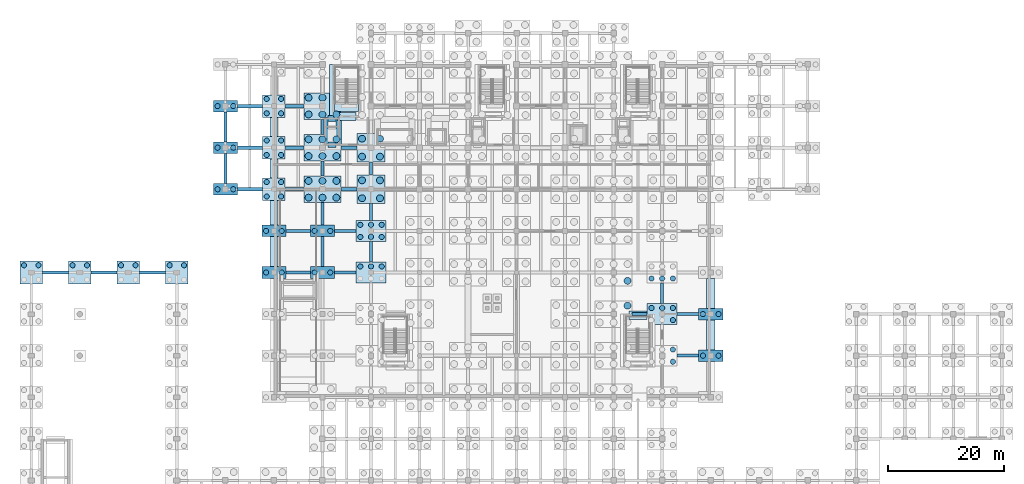
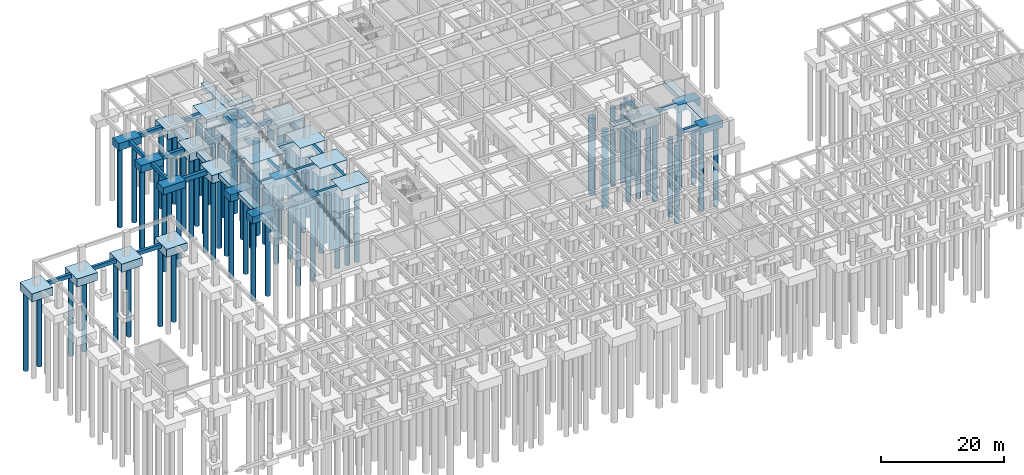
# One storey, part 6 of 26: 83 piles, 66 footings.
"""IFC4 building model written with IfcOpenShell, lengths in metres."""

from ifc_helpers import new_model, si_unit, direction, frame, origin, origin_2d, place, context, subcontext, project, spatial, rectangle, circle, extrude, material, material_profile, profile_set, type_object, element, save


model = new_model("IFC4")

# Units and contexts
model_context = context("Model", 3, precision=1e-05, world=origin(), true_north=direction((0.0, 1.0)))
body_context = subcontext(model_context, "Body", "Model", "MODEL_VIEW")
ifc_project = project(units=[si_unit("LENGTHUNIT", "METRE"), si_unit("AREAUNIT", "SQUARE_METRE"), si_unit("VOLUMEUNIT", "CUBIC_METRE"), si_unit("PLANEANGLEUNIT", "RADIAN"), si_unit("MASSUNIT", "GRAM", prefix="KILO")], contexts=[model_context])

# Site, building, storey
site_placement = place(None, origin())
site = spatial("IfcSite", under=ifc_project, at=site_placement, CompositionType="ELEMENT")
building_placement = place(site_placement, origin())
building = spatial("IfcBuilding", under=site, at=building_placement, Name="Kenerak Square Central Library", CompositionType="ELEMENT")
storey_placement = place(building_placement, frame((0.0, 0.0, -4.800048828125)))
storey = spatial("IfcBuildingStorey", under=building, at=storey_placement, Name="B1", CompositionType="ELEMENT", Elevation=-4.800048828125)

# Piles
ifc_material = material(Name="Concrete C40/50", Category="concrete")
ifc_material_profile_1 = material_profile(ifc_material, circle(Radius=0.60009765625, at=origin_2d()), Name="BP D1200")
ifc_profile_set_1 = profile_set([ifc_material_profile_1], Name="Concrete C40/50")
pile_type_1 = type_object("IfcPileType", Name="Bored Pile D1200 C40/50", PredefinedType="BORED", material=ifc_profile_set_1)
for number, where, z_axis, x_axis, name in (
    (1, (56.0, 87.35009765625, -1.89990234375), (0.0, 0.0, -1.0), (1.0, 0.0, 0.0), "Bored Pile BP-1200 0179"),
    (2, (58.39990234375, 87.35009765625, -1.89990234375), (0.0, 0.0, -1.0), (1.0, 0.0, 0.0), "Bored Pile BP-1200 0180"),
    (3, (60.800048828125, 87.35009765625, -1.89990234375), (0.0, 0.0, -1.0), (1.0, 0.0, 0.0), "Bored Pile BP-1200 0181"),
    (4, (56.0, 90.25, -1.89990234375), (0.0, 0.0, -1.0), (1.0, 0.0, 0.0), "Bored Pile BP-1200 0182"),
    (5, (58.39990234375, 90.25, -1.89990234375), (0.0, 0.0, -1.0), (1.0, 0.0, 0.0), "Bored Pile BP-1200 0183"),
    (6, (60.800048828125, 90.25, -1.89990234375), (0.0, 0.0, -1.0), (1.0, 0.0, 0.0), "Bored Pile BP-1200 0184"),
    (7, (56.0, 94.550048828125, -1.89990234375), (0.0, 0.0, -1.0), (1.0, 0.0, 0.0), "Bored Pile BP-1200 0185"),
    (8, (58.39990234375, 94.550048828125, -1.89990234375), (0.0, 0.0, -1.0), (1.0, 0.0, 0.0), "Bored Pile BP-1200 0186"),
    (9, (60.800048828125, 94.550048828125, -1.89990234375), (0.0, 0.0, -1.0), (1.0, 0.0, 0.0), "Bored Pile BP-1200 0187"),
    (10, (56.0, 97.449951171875, -1.89990234375), (0.0, 0.0, -1.0), (1.0, 0.0, 0.0), "Bored Pile BP-1200 0188"),
    (11, (58.39990234375, 97.449951171875, -1.89990234375), (0.0, 0.0, -1.0), (1.0, 0.0, 0.0), "Bored Pile BP-1200 0189"),
    (12, (60.800048828125, 97.449951171875, -1.89990234375), (0.0, 0.0, -1.0), (1.0, 0.0, 0.0), "Bored Pile BP-1200 0190"),
    (13, (56.0, 101.75, -1.89990234375), (0.0, 0.0, -1.0), (1.0, 0.0, 0.0), "Bored Pile BP-1200 0191"),
    (14, (58.39990234375, 101.75, -1.89990234375), (0.0, 0.0, -1.0), (1.0, 0.0, 0.0), "Bored Pile BP-1200 0192"),
    (15, (60.800048828125, 101.75, -1.89990234375), (0.0, 0.0, -1.0), (1.0, 0.0, 0.0), "Bored Pile BP-1200 0193"),
    (16, (56.0, 104.64990234375, -1.89990234375), (0.0, 0.0, -1.0), (1.0, 0.0, 0.0), "Bored Pile BP-1200 0194"),
    (17, (58.39990234375, 104.64990234375, -1.89990234375), (0.0, 0.0, -1.0), (1.0, 0.0, 0.0), "Bored Pile BP-1200 0195"),
    (18, (65.25, 87.25, -1.89990234375), (0.0, 0.0, -1.0), (1.0, 0.0, 0.0), "Bored Pile BP-1200 0255"),
    (19, (68.35009765625, 87.25, -1.89990234375), (0.0, 0.0, -1.0), (1.0, 0.0, 0.0), "Bored Pile BP-1200 0256"),
    (20, (65.25, 90.35009765625, -1.89990234375), (0.0, 0.0, -1.0), (1.0, 0.0, 0.0), "Bored Pile BP-1200 0257"),
    (21, (68.35009765625, 90.35009765625, -1.89990234375), (0.0, 0.0, -1.0), (1.0, 0.0, 0.0), "Bored Pile BP-1200 0258"),
    (22, (65.25, 94.449951171875, -1.89990234375), (0.0, 0.0, -1.0), (1.0, 0.0, 0.0), "Bored Pile BP-1200 0259"),
    (23, (68.35009765625, 94.449951171875, -1.89990234375), (0.0, 0.0, -1.0), (1.0, 0.0, 0.0), "Bored Pile BP-1200 0260"),
    (24, (65.25, 97.550048828125, -1.89990234375), (0.0, 0.0, -1.0), (1.0, 0.0, 0.0), "Bored Pile BP-1200 0261"),
    (25, (68.35009765625, 97.550048828125, -1.89990234375), (0.0, 0.0, -1.0), (1.0, 0.0, 0.0), "Bored Pile BP-1200 0262"),
    (26, (111.199951171875, 68.64990234375, -1.89990234375), (0.0, 0.0, -1.0), (1.0, 0.0, 0.0), "Bored Pile BP-1200 0568"),
    (27, (111.199951171875, 72.949951171875, -1.89990234375), (0.0, 0.0, -1.0), (1.0, 0.0, 0.0), "Bored Pile BP-1200 0571"),
):
    element("IfcPile", number, at=place(storey_placement, frame(where, z_axis=z_axis, x_axis=x_axis)), inside=storey, type_object=pile_type_1, Name=name, PredefinedType="BORED", context=body_context, shape_type="SweptSolid", body=[
        extrude(circle(Radius=0.60009765625, at=origin_2d()), origin(), (0.0, 0.0, 1.0), 15.300048828125),
    ])
ifc_material_profile_2 = material_profile(ifc_material, circle(Radius=0.449951171875, at=origin_2d()), Name="BP D900")
ifc_profile_set_2 = profile_set([ifc_material_profile_2], Name="Concrete C40/50")
pile_type_2 = type_object("IfcPileType", Name="Bored Pile D900 C40/50", PredefinedType="BORED", material=ifc_profile_set_2)
for number, where, z_axis, x_axis, name in (
    (28, (6.75, 75.64990234375, -1.5), (0.0, 0.0, -1.0), (1.0, 0.0, 0.0), "Bored Pile BP-900 0027"),
    (29, (9.25, 75.64990234375, -1.5), (0.0, 0.0, -1.0), (1.0, 0.0, 0.0), "Bored Pile BP-900 0028"),
    (30, (15.14990234375, 75.64990234375, -1.5), (0.0, 0.0, -1.0), (1.0, 0.0, 0.0), "Bored Pile BP-900 0035"),
    (31, (17.64990234375, 75.64990234375, -1.5), (0.0, 0.0, -1.0), (1.0, 0.0, 0.0), "Bored Pile BP-900 0036"),
    (32, (23.550048828125, 75.64990234375, -1.5), (0.0, 0.0, -1.0), (1.0, 0.0, 0.0), "Bored Pile BP-900 0043"),
    (33, (26.050048828125, 75.64990234375, -1.5), (0.0, 0.0, -1.0), (1.0, 0.0, 0.0), "Bored Pile BP-900 0044"),
    (34, (31.949951171875, 75.64990234375, -1.5), (0.0, 0.0, -1.0), (1.0, 0.0, 0.0), "Bored Pile BP-900 0079"),
    (35, (34.449951171875, 75.64990234375, -1.5), (0.0, 0.0, -1.0), (1.0, 0.0, 0.0), "Bored Pile BP-900 0080"),
):
    element("IfcPile", number, at=place(storey_placement, frame(where, z_axis=z_axis, x_axis=x_axis)), inside=storey, type_object=pile_type_2, Name=name, PredefinedType="BORED", context=body_context, shape_type="SweptSolid", body=[
        extrude(circle(Radius=0.449951171875, at=origin_2d()), origin(), (0.0, 0.0, 1.0), 15.699951171875),
    ])
for number, where, z_axis, x_axis, name in (
    (36, (40.25, 88.800048828125, -1.300048828125), (0.0, 0.0, -1.0), (1.0, 0.0, 0.0), "Bored Pile BP-900 0097"),
    (37, (42.949951171875, 88.800048828125, -1.300048828125), (0.0, 0.0, -1.0), (1.0, 0.0, 0.0), "Bored Pile BP-900 0098"),
    (38, (40.25, 96.0, -1.300048828125), (0.0, 0.0, -1.0), (1.0, 0.0, 0.0), "Bored Pile BP-900 0099"),
    (39, (42.949951171875, 96.0, -1.300048828125), (0.0, 0.0, -1.0), (1.0, 0.0, 0.0), "Bored Pile BP-900 0100"),
    (40, (40.25, 103.199951171875, -1.300048828125), (0.0, 0.0, -1.0), (1.0, 0.0, 0.0), "Bored Pile BP-900 0101"),
    (41, (42.949951171875, 103.199951171875, -1.300048828125), (0.0, 0.0, -1.0), (1.0, 0.0, 0.0), "Bored Pile BP-900 0102"),
    (42, (48.64990234375, 74.39990234375, -1.300048828125), (0.0, 0.0, -1.0), (1.0, 0.0, 0.0), "Bored Pile BP-900 0127"),
    (43, (51.35009765625, 74.39990234375, -1.300048828125), (0.0, 0.0, -1.0), (1.0, 0.0, 0.0), "Bored Pile BP-900 0128"),
    (44, (48.64990234375, 81.60009765625, -1.300048828125), (0.0, 0.0, -1.0), (1.0, 0.0, 0.0), "Bored Pile BP-900 0129"),
    (45, (51.35009765625, 81.60009765625, -1.300048828125), (0.0, 0.0, -1.0), (1.0, 0.0, 0.0), "Bored Pile BP-900 0130"),
):
    element("IfcPile", number, at=place(storey_placement, frame(where, z_axis=z_axis, x_axis=x_axis)), inside=storey, type_object=pile_type_2, Name=name, PredefinedType="BORED", context=body_context, shape_type="SweptSolid", body=[
        extrude(circle(Radius=0.449951171875, at=origin_2d()), origin(), (0.0, 0.0, 1.0), 15.89990234375),
    ])
for number, where, z_axis, x_axis, name in (
    (46, (48.75, 87.550048828125, -1.5), (0.0, 0.0, -1.0), (1.0, 0.0, 0.0), "Bored Pile BP-900 0131"),
    (47, (51.25, 87.550048828125, -1.5), (0.0, 0.0, -1.0), (1.0, 0.0, 0.0), "Bored Pile BP-900 0132"),
    (48, (48.75, 90.050048828125, -1.5), (0.0, 0.0, -1.0), (1.0, 0.0, 0.0), "Bored Pile BP-900 0133"),
    (49, (51.25, 90.050048828125, -1.5), (0.0, 0.0, -1.0), (1.0, 0.0, 0.0), "Bored Pile BP-900 0134"),
    (50, (48.75, 94.75, -1.5), (0.0, 0.0, -1.0), (1.0, 0.0, 0.0), "Bored Pile BP-900 0135"),
    (51, (51.25, 94.75, -1.5), (0.0, 0.0, -1.0), (1.0, 0.0, 0.0), "Bored Pile BP-900 0136"),
    (52, (48.75, 97.25, -1.5), (0.0, 0.0, -1.0), (1.0, 0.0, 0.0), "Bored Pile BP-900 0137"),
    (53, (51.25, 97.25, -1.5), (0.0, 0.0, -1.0), (1.0, 0.0, 0.0), "Bored Pile BP-900 0138"),
    (54, (48.75, 101.949951171875, -1.5), (0.0, 0.0, -1.0), (1.0, 0.0, 0.0), "Bored Pile BP-900 0139"),
    (55, (51.25, 101.949951171875, -1.5), (0.0, 0.0, -1.0), (1.0, 0.0, 0.0), "Bored Pile BP-900 0140"),
    (56, (48.75, 104.449951171875, -1.5), (0.0, 0.0, -1.0), (1.0, 0.0, 0.0), "Bored Pile BP-900 0141"),
    (57, (51.25, 104.449951171875, -1.5), (0.0, 0.0, -1.0), (1.0, 0.0, 0.0), "Bored Pile BP-900 0142"),
):
    element("IfcPile", number, at=place(storey_placement, frame(where, z_axis=z_axis, x_axis=x_axis)), inside=storey, type_object=pile_type_2, Name=name, PredefinedType="BORED", context=body_context, shape_type="SweptSolid", body=[
        extrude(circle(Radius=0.449951171875, at=origin_2d()), origin(), (0.0, 0.0, 1.0), 15.699951171875),
    ])
for number, where, z_axis, x_axis, name in (
    (58, (57.050048828125, 74.39990234375, -1.300048828125), (0.0, 0.0, -1.0), (1.0, 0.0, 0.0), "Bored Pile BP-900 0175"),
    (59, (59.75, 74.39990234375, -1.300048828125), (0.0, 0.0, -1.0), (1.0, 0.0, 0.0), "Bored Pile BP-900 0176"),
    (60, (57.050048828125, 81.60009765625, -1.300048828125), (0.0, 0.0, -1.0), (1.0, 0.0, 0.0), "Bored Pile BP-900 0177"),
    (61, (59.75, 81.60009765625, -1.300048828125), (0.0, 0.0, -1.0), (1.0, 0.0, 0.0), "Bored Pile BP-900 0178"),
):
    element("IfcPile", number, at=place(storey_placement, frame(where, z_axis=z_axis, x_axis=x_axis)), inside=storey, type_object=pile_type_2, Name=name, PredefinedType="BORED", context=body_context, shape_type="SweptSolid", body=[
        extrude(circle(Radius=0.449951171875, at=origin_2d()), origin(), (0.0, 0.0, 1.0), 15.89990234375),
    ])
for number, where, z_axis, x_axis, name in (
    (62, (64.949951171875, 75.449951171875, -1.699951171875), (0.0, 0.0, -1.0), (1.0, 0.0, 0.0), "Bored Pile BP-900 0246"),
    (63, (66.800048828125, 75.449951171875, -1.699951171875), (0.0, 0.0, -1.0), (1.0, 0.0, 0.0), "Bored Pile BP-900 0247"),
    (64, (68.64990234375, 75.449951171875, -1.699951171875), (0.0, 0.0, -1.0), (1.0, 0.0, 0.0), "Bored Pile BP-900 0248"),
    (65, (64.949951171875, 80.550048828125, -1.699951171875), (0.0, 0.0, -1.0), (1.0, 0.0, 0.0), "Bored Pile BP-900 0249"),
    (66, (66.800048828125, 80.550048828125, -1.699951171875), (0.0, 0.0, -1.0), (1.0, 0.0, 0.0), "Bored Pile BP-900 0250"),
    (67, (68.64990234375, 80.550048828125, -1.699951171875), (0.0, 0.0, -1.0), (1.0, 0.0, 0.0), "Bored Pile BP-900 0251"),
    (68, (64.949951171875, 82.64990234375, -1.699951171875), (0.0, 0.0, -1.0), (1.0, 0.0, 0.0), "Bored Pile BP-900 0252"),
    (69, (66.800048828125, 82.64990234375, -1.699951171875), (0.0, 0.0, -1.0), (1.0, 0.0, 0.0), "Bored Pile BP-900 0253"),
    (70, (68.64990234375, 82.64990234375, -1.699951171875), (0.0, 0.0, -1.0), (1.0, 0.0, 0.0), "Bored Pile BP-900 0254"),
    (71, (119.050048828125, 58.949951171875, -1.699951171875), (0.0, 0.0, -1.0), (1.0, 0.0, 0.0), "Bored Pile BP-900 0649"),
    (72, (119.050048828125, 61.050048828125, -1.699951171875), (0.0, 0.0, -1.0), (1.0, 0.0, 0.0), "Bored Pile BP-900 0652"),
    (73, (119.050048828125, 66.14990234375, -1.699951171875), (0.0, 0.0, -1.0), (1.0, 0.0, 0.0), "Bored Pile BP-900 0655"),
    (74, (115.35009765625, 68.25, -1.699951171875), (0.0, 0.0, -1.0), (1.0, 0.0, 0.0), "Bored Pile BP-900 0656"),
    (75, (117.199951171875, 68.25, -1.699951171875), (0.0, 0.0, -1.0), (1.0, 0.0, 0.0), "Bored Pile BP-900 0657"),
    (76, (119.050048828125, 68.25, -1.699951171875), (0.0, 0.0, -1.0), (1.0, 0.0, 0.0), "Bored Pile BP-900 0658"),
    (77, (115.35009765625, 73.35009765625, -1.699951171875), (0.0, 0.0, -1.0), (1.0, 0.0, 0.0), "Bored Pile BP-900 0659"),
    (78, (117.199951171875, 73.35009765625, -1.699951171875), (0.0, 0.0, -1.0), (1.0, 0.0, 0.0), "Bored Pile BP-900 0660"),
    (79, (119.050048828125, 73.35009765625, -1.699951171875), (0.0, 0.0, -1.0), (1.0, 0.0, 0.0), "Bored Pile BP-900 0661"),
):
    element("IfcPile", number, at=place(storey_placement, frame(where, z_axis=z_axis, x_axis=x_axis)), inside=storey, type_object=pile_type_2, Name=name, PredefinedType="BORED", context=body_context, shape_type="SweptSolid", body=[
        extrude(circle(Radius=0.449951171875, at=origin_2d()), origin(), (0.0, 0.0, 1.0), 15.5),
    ])
for number, where, z_axis, x_axis, name in (
    (80, (124.25, 60.0, -1.300048828125), (0.0, 0.0, -1.0), (1.0, 0.0, 0.0), "Bored Pile BP-900 0705"),
    (81, (126.949951171875, 60.0, -1.300048828125), (0.0, 0.0, -1.0), (1.0, 0.0, 0.0), "Bored Pile BP-900 0706"),
    (82, (124.25, 67.199951171875, -1.300048828125), (0.0, 0.0, -1.0), (1.0, 0.0, 0.0), "Bored Pile BP-900 0707"),
    (83, (126.949951171875, 67.199951171875, -1.300048828125), (0.0, 0.0, -1.0), (1.0, 0.0, 0.0), "Bored Pile BP-900 0708"),
):
    element("IfcPile", number, at=place(storey_placement, frame(where, z_axis=z_axis, x_axis=x_axis)), inside=storey, type_object=pile_type_2, Name=name, PredefinedType="BORED", context=body_context, shape_type="SweptSolid", body=[
        extrude(circle(Radius=0.449951171875, at=origin_2d()), origin(), (0.0, 0.0, 1.0), 15.89990234375),
    ])

# Footings
footing_type_1 = type_object("IfcFootingType", Name="Ground Tie Beam GB-01 500x750", PredefinedType="FOOTING_BEAM", material=ifc_material)
for number, where, z_axis, x_axis, name in (
    (84, (12.199951171875, 74.39990234375, -0.75), (0.0, 0.0, 1.0), (1.0, 0.0, 0.0), "Ground Tie Beam 009"),
    (85, (20.60009765625, 74.39990234375, -0.75), (0.0, 0.0, 1.0), (1.0, 0.0, 0.0), "Ground Tie Beam 012"),
    (86, (29.0, 74.39990234375, -0.75), (0.0, 0.0, 1.0), (1.0, 0.0, 0.0), "Ground Tie Beam 015"),
):
    element("IfcFooting", number, at=place(storey_placement, frame(where, z_axis=z_axis, x_axis=x_axis)), inside=storey, type_object=footing_type_1, Name=name, PredefinedType="FOOTING_BEAM", context=body_context, shape_type="SweptSolid", body=[
        extrude(rectangle(XDim=4.5, YDim=0.5, at=origin_2d()), origin(), (0.0, 0.0, 1.0), 0.75),
    ])
for number, where, z_axis, x_axis, name in (
    (87, (41.60009765625, 92.39990234375, -0.75), (0.0, 0.0, 1.0), (1.0, 0.0, 0.0), "Ground Tie Beam 038"),
    (88, (41.60009765625, 99.60009765625, -0.75), (0.0, 0.0, 1.0), (1.0, 0.0, 0.0), "Ground Tie Beam 040"),
):
    element("IfcFooting", number, at=place(storey_placement, frame(where, z_axis=z_axis, x_axis=x_axis)), inside=storey, type_object=footing_type_1, Name=name, PredefinedType="FOOTING_BEAM", context=body_context, shape_type="SweptSolid", body=[
        extrude(rectangle(XDim=0.5, YDim=5.199951171875, at=origin_2d()), origin(), (0.0, 0.0, 1.0), 0.75),
    ])
for number, where, z_axis, x_axis, name in (
    (89, (54.199951171875, 74.39990234375, -0.75), (0.0, 0.0, 1.0), (1.0, 0.0, 0.0), "Ground Tie Beam 049"),
    (90, (54.199951171875, 81.60009765625, -0.75), (0.0, 0.0, 1.0), (1.0, 0.0, 0.0), "Ground Tie Beam 050"),
):
    element("IfcFooting", number, at=place(storey_placement, frame(where, z_axis=z_axis, x_axis=x_axis)), inside=storey, type_object=footing_type_1, Name=name, PredefinedType="FOOTING_BEAM", context=body_context, shape_type="SweptSolid", body=[
        extrude(rectangle(XDim=4.199951171875, YDim=0.5, at=origin_2d()), origin(), (0.0, 0.0, 1.0), 0.75),
    ])
footing_1_placement = place(storey_placement, frame((62.35009765625, 74.39990234375, -0.75), z_axis=(0.0, 0.0, 1.0), x_axis=(1.0, 0.0, 0.0)))
element("IfcFooting", 91, at=footing_1_placement, inside=storey, type_object=footing_type_1, Name="Ground Tie Beam 069", PredefinedType="FOOTING_BEAM", context=body_context, shape_type="SweptSolid", body=[
    extrude(rectangle(XDim=3.699951171875, YDim=0.5, at=origin_2d()), origin(), (0.0, 0.0, 1.0), 0.75),
])
footing_2_placement = place(storey_placement, frame((58.39990234375, 78.0, -0.75), z_axis=(0.0, 0.0, 1.0), x_axis=(1.0, 0.0, 0.0)))
element("IfcFooting", 92, at=footing_2_placement, inside=storey, type_object=footing_type_1, Name="Ground Tie Beam 070", PredefinedType="FOOTING_BEAM", context=body_context, shape_type="SweptSolid", body=[
    extrude(rectangle(XDim=0.5, YDim=5.199951171875, at=origin_2d()), origin(), (0.0, 0.0, 1.0), 0.75),
])
footing_3_placement = place(storey_placement, frame((62.35009765625, 81.60009765625, -0.75), z_axis=(0.0, 0.0, 1.0), x_axis=(1.0, 0.0, 0.0)))
element("IfcFooting", 93, at=footing_3_placement, inside=storey, type_object=footing_type_1, Name="Ground Tie Beam 071", PredefinedType="FOOTING_BEAM", context=body_context, shape_type="SweptSolid", body=[
    extrude(rectangle(XDim=3.699951171875, YDim=0.5, at=origin_2d()), origin(), (0.0, 0.0, 1.0), 0.75),
])
footing_4_placement = place(storey_placement, frame((58.39990234375, 84.550048828125, -0.75), z_axis=(0.0, 0.0, 1.0), x_axis=(1.0, 0.0, 0.0)))
element("IfcFooting", 94, at=footing_4_placement, inside=storey, type_object=footing_type_1, Name="Ground Tie Beam 072", PredefinedType="FOOTING_BEAM", context=body_context, shape_type="SweptSolid", body=[
    extrude(rectangle(XDim=0.5, YDim=3.89990234375, at=origin_2d()), origin(), (0.0, 0.0, 1.0), 0.75),
])
for number, where, z_axis, x_axis, name in (
    (95, (58.39990234375, 92.39990234375, -0.75), (0.0, 0.0, 1.0), (1.0, 0.0, 0.0), "Ground Tie Beam 074"),
    (96, (58.39990234375, 99.60009765625, -0.75), (0.0, 0.0, 1.0), (1.0, 0.0, 0.0), "Ground Tie Beam 076"),
):
    element("IfcFooting", number, at=place(storey_placement, frame(where, z_axis=z_axis, x_axis=x_axis)), inside=storey, type_object=footing_type_1, Name=name, PredefinedType="FOOTING_BEAM", context=body_context, shape_type="SweptSolid", body=[
        extrude(rectangle(XDim=0.5, YDim=2.60009765625, at=origin_2d()), origin(), (0.0, 0.0, 1.0), 0.75),
    ])
footing_5_placement = place(storey_placement, frame((66.800048828125, 78.0, -0.75), z_axis=(0.0, 0.0, 1.0), x_axis=(1.0, 0.0, 0.0)))
element("IfcFooting", 97, at=footing_5_placement, inside=storey, type_object=footing_type_1, Name="Ground Tie Beam 095", PredefinedType="FOOTING_BEAM", context=body_context, shape_type="SweptSolid", body=[
    extrude(rectangle(XDim=0.5, YDim=3.60009765625, at=origin_2d()), origin(), (0.0, 0.0, 1.0), 0.75),
])
footing_6_placement = place(storey_placement, frame((66.800048828125, 84.875, -0.75), z_axis=(0.0, 0.0, 1.0), x_axis=(1.0, 0.0, 0.0)))
element("IfcFooting", 98, at=footing_6_placement, inside=storey, type_object=footing_type_1, Name="Ground Tie Beam 097", PredefinedType="FOOTING_BEAM", context=body_context, shape_type="SweptSolid", body=[
    extrude(rectangle(XDim=0.5, YDim=2.949951171875, at=origin_2d()), origin(), (0.0, 0.0, 1.0), 0.75),
])
footing_7_placement = place(storey_placement, frame((66.800048828125, 92.39990234375, -0.75), z_axis=(0.0, 0.0, 1.0), x_axis=(1.0, 0.0, 0.0)))
element("IfcFooting", 99, at=footing_7_placement, inside=storey, type_object=footing_type_1, Name="Ground Tie Beam 099", PredefinedType="FOOTING_BEAM", context=body_context, shape_type="SweptSolid", body=[
    extrude(rectangle(XDim=0.5, YDim=2.300048828125, at=origin_2d()), origin(), (0.0, 0.0, 1.0), 0.75),
])
footing_8_placement = place(storey_placement, frame((113.300048828125, 67.199951171875, -0.75), z_axis=(0.0, 0.0, 1.0), x_axis=(1.0, 0.0, 0.0)))
element("IfcFooting", 100, at=footing_8_placement, inside=storey, type_object=footing_type_1, Name="Ground Tie Beam 215", PredefinedType="FOOTING_BEAM", context=body_context, shape_type="SweptSolid", body=[
    extrude(rectangle(XDim=2.60009765625, YDim=0.5, at=origin_2d()), origin(), (0.0, 0.0, 1.0), 0.75),
])
for number, where, z_axis, x_axis, name in (
    (101, (121.64990234375, 60.0, -0.75), (0.0, 0.0, 1.0), (1.0, 0.0, 0.0), "Ground Tie Beam 237"),
    (102, (121.64990234375, 67.199951171875, -0.75), (0.0, 0.0, 1.0), (1.0, 0.0, 0.0), "Ground Tie Beam 239"),
):
    element("IfcFooting", number, at=place(storey_placement, frame(where, z_axis=z_axis, x_axis=x_axis)), inside=storey, type_object=footing_type_1, Name=name, PredefinedType="FOOTING_BEAM", context=body_context, shape_type="SweptSolid", body=[
        extrude(rectangle(XDim=3.699951171875, YDim=0.5, at=origin_2d()), origin(), (0.0, 0.0, 1.0), 0.75),
    ])
footing_9_placement = place(storey_placement, frame((117.199951171875, 70.800048828125, -0.75), z_axis=(0.0, 0.0, 1.0), x_axis=(1.0, 0.0, 0.0)))
element("IfcFooting", 103, at=footing_9_placement, inside=storey, type_object=footing_type_1, Name="Ground Tie Beam 240", PredefinedType="FOOTING_BEAM", context=body_context, shape_type="SweptSolid", body=[
    extrude(rectangle(XDim=0.5, YDim=3.60009765625, at=origin_2d()), origin(), (0.0, 0.0, 1.0), 0.75),
])
footing_type_2 = type_object("IfcFootingType", Name="Ground Tie Beam GB-03 600x850", PredefinedType="FOOTING_BEAM", material=ifc_material)
for number, where, z_axis, x_axis, name in (
    (104, (45.875, 88.800048828125, -0.85009765625), (0.0, 0.0, 1.0), (1.0, 0.0, 0.0), "Ground Tie Beam 037"),
    (105, (45.875, 96.0, -0.85009765625), (0.0, 0.0, 1.0), (1.0, 0.0, 0.0), "Ground Tie Beam 039"),
    (106, (45.875, 103.199951171875, -0.85009765625), (0.0, 0.0, 1.0), (1.0, 0.0, 0.0), "Ground Tie Beam 041"),
):
    element("IfcFooting", number, at=place(storey_placement, frame(where, z_axis=z_axis, x_axis=x_axis)), inside=storey, type_object=footing_type_2, Name=name, PredefinedType="FOOTING_BEAM", context=body_context, shape_type="SweptSolid", body=[
        extrude(rectangle(XDim=4.35009765625, YDim=0.60009765625, at=origin_2d()), origin(), (0.0, 0.0, 1.0), 0.85009765625),
    ])
for number, where, z_axis, x_axis, name in (
    (107, (53.574951171875, 88.800048828125, -0.85009765625), (0.0, 0.0, 1.0), (1.0, 0.0, 0.0), "Ground Tie Beam 051"),
    (108, (53.574951171875, 96.0, -0.85009765625), (0.0, 0.0, 1.0), (1.0, 0.0, 0.0), "Ground Tie Beam 052"),
    (109, (53.574951171875, 103.199951171875, -0.85009765625), (0.0, 0.0, 1.0), (1.0, 0.0, 0.0), "Ground Tie Beam 053"),
):
    element("IfcFooting", number, at=place(storey_placement, frame(where, z_axis=z_axis, x_axis=x_axis)), inside=storey, type_object=footing_type_2, Name=name, PredefinedType="FOOTING_BEAM", context=body_context, shape_type="SweptSolid", body=[
        extrude(rectangle(XDim=3.25, YDim=0.60009765625, at=origin_2d()), origin(), (0.0, 0.0, 1.0), 0.85009765625),
    ])
for number, where, z_axis, x_axis, name in (
    (110, (62.97509765625, 88.800048828125, -0.85009765625), (0.0, 0.0, 1.0), (1.0, 0.0, 0.0), "Ground Tie Beam 073"),
    (111, (62.97509765625, 96.0, -0.85009765625), (0.0, 0.0, 1.0), (1.0, 0.0, 0.0), "Ground Tie Beam 075"),
):
    element("IfcFooting", number, at=place(storey_placement, frame(where, z_axis=z_axis, x_axis=x_axis)), inside=storey, type_object=footing_type_2, Name=name, PredefinedType="FOOTING_BEAM", context=body_context, shape_type="SweptSolid", body=[
        extrude(rectangle(XDim=2.75, YDim=0.60009765625, at=origin_2d()), origin(), (0.0, 0.0, 1.0), 0.85009765625),
    ])
footing_type_3 = type_object("IfcFootingType", Name="Pile Cap PC-01 4200x2000x1400", PredefinedType="PILE_CAP", material=ifc_material)
for number, where, z_axis, x_axis, name in (
    (112, (41.60009765625, 88.800048828125, -1.39990234375), (0.0, 0.0, 1.0), (1.0, 0.0, 0.0), "Pile Cap PC-01 025"),
    (113, (41.60009765625, 96.0, -1.39990234375), (0.0, 0.0, 1.0), (1.0, 0.0, 0.0), "Pile Cap PC-01 026"),
    (114, (41.60009765625, 103.199951171875, -1.39990234375), (0.0, 0.0, 1.0), (1.0, 0.0, 0.0), "Pile Cap PC-01 027"),
    (115, (50.0, 74.39990234375, -1.39990234375), (0.0, 0.0, 1.0), (1.0, 0.0, 0.0), "Pile Cap PC-01 036"),
    (116, (50.0, 81.60009765625, -1.39990234375), (0.0, 0.0, 1.0), (1.0, 0.0, 0.0), "Pile Cap PC-01 037"),
    (117, (58.39990234375, 74.39990234375, -1.39990234375), (0.0, 0.0, 1.0), (1.0, 0.0, 0.0), "Pile Cap PC-01 050"),
    (118, (58.39990234375, 81.60009765625, -1.39990234375), (0.0, 0.0, 1.0), (1.0, 0.0, 0.0), "Pile Cap PC-01 051"),
    (119, (125.60009765625, 60.0, -1.39990234375), (0.0, 0.0, 1.0), (1.0, 0.0, 0.0), "Pile Cap PC-01 163"),
    (120, (125.60009765625, 67.199951171875, -1.39990234375), (0.0, 0.0, 1.0), (1.0, 0.0, 0.0), "Pile Cap PC-01 164"),
):
    element("IfcFooting", number, at=place(storey_placement, frame(where, z_axis=z_axis, x_axis=x_axis)), inside=storey, type_object=footing_type_3, Name=name, PredefinedType="PILE_CAP", context=body_context, shape_type="SweptSolid", body=[
        extrude(rectangle(XDim=4.199951171875, YDim=2.0, at=origin_2d()), origin(), (0.0, 0.0, 1.0), 1.39990234375),
    ])
footing_type_4 = type_object("IfcFootingType", Name="Pile Cap PC-03 3900x3900x1600", PredefinedType="PILE_CAP", material=ifc_material)
for number, where, z_axis, x_axis, name in (
    (121, (8.0, 74.39990234375, -1.60009765625), (0.0, 0.0, 1.0), (1.0, 0.0, 0.0), "Pile Cap PC-03 007"),
    (122, (16.39990234375, 74.39990234375, -1.60009765625), (0.0, 0.0, 1.0), (1.0, 0.0, 0.0), "Pile Cap PC-03 009"),
    (123, (24.800048828125, 74.39990234375, -1.60009765625), (0.0, 0.0, 1.0), (1.0, 0.0, 0.0), "Pile Cap PC-03 011"),
    (124, (33.199951171875, 74.39990234375, -1.60009765625), (0.0, 0.0, 1.0), (1.0, 0.0, 0.0), "Pile Cap PC-03 020"),
    (125, (50.0, 88.800048828125, -1.60009765625), (0.0, 0.0, 1.0), (1.0, 0.0, 0.0), "Pile Cap PC-03 038"),
    (126, (50.0, 96.0, -1.60009765625), (0.0, 0.0, 1.0), (1.0, 0.0, 0.0), "Pile Cap PC-03 039"),
    (127, (50.0, 103.199951171875, -1.60009765625), (0.0, 0.0, 1.0), (1.0, 0.0, 0.0), "Pile Cap PC-03 040"),
):
    element("IfcFooting", number, at=place(storey_placement, frame(where, z_axis=z_axis, x_axis=x_axis)), inside=storey, type_object=footing_type_4, Name=name, PredefinedType="PILE_CAP", context=body_context, shape_type="SweptSolid", body=[
        extrude(rectangle(XDim=3.89990234375, YDim=3.89990234375, at=origin_2d()), origin(), (0.0, 0.0, 1.0), 1.60009765625),
    ])
footing_type_5 = type_object("IfcFootingType", Name="Pile Cap PC-05 5200x3600x1800", PredefinedType="PILE_CAP", material=ifc_material)
for number, where, z_axis, x_axis, name in (
    (128, (66.800048828125, 74.39990234375, -1.7998046875), (0.0, 0.0, 1.0), (1.0, 0.0, 0.0), "Pile Cap PC-05 064"),
    (129, (66.800048828125, 81.60009765625, -1.7998046875), (0.0, 0.0, 1.0), (1.0, 0.0, 0.0), "Pile Cap PC-05 065"),
    (130, (117.199951171875, 67.199951171875, -1.7998046875), (0.0, 0.0, 1.0), (1.0, 0.0, 0.0), "Pile Cap PC-05 151"),
):
    element("IfcFooting", number, at=place(storey_placement, frame(where, z_axis=z_axis, x_axis=x_axis)), inside=storey, type_object=footing_type_5, Name=name, PredefinedType="PILE_CAP", context=body_context, shape_type="SweptSolid", body=[
        extrude(rectangle(XDim=5.199951171875, YDim=3.60009765625, at=origin_2d()), origin(), (0.0, 0.0, 1.0), 1.800048828125),
    ])
footing_type_6 = type_object("IfcFootingType", Name="Pile Cap PC-07 6400x4600x2000", PredefinedType="PILE_CAP", material=ifc_material)
for number, where, z_axis, x_axis, name in (
    (131, (58.39990234375, 88.800048828125, -2.0), (0.0, 0.0, 1.0), (1.0, 0.0, 0.0), "Pile Cap PC-07 052"),
    (132, (58.39990234375, 96.0, -2.0), (0.0, 0.0, 1.0), (1.0, 0.0, 0.0), "Pile Cap PC-07 053"),
    (133, (58.39990234375, 103.199951171875, -2.0), (0.0, 0.0, 1.0), (1.0, 0.0, 0.0), "Pile Cap PC-07 054"),
):
    element("IfcFooting", number, at=place(storey_placement, frame(where, z_axis=z_axis, x_axis=x_axis)), inside=storey, type_object=footing_type_6, Name=name, PredefinedType="PILE_CAP", context=body_context, shape_type="SweptSolid", body=[
        extrude(rectangle(XDim=6.39990234375, YDim=4.60009765625, at=origin_2d()), origin(), (0.0, 0.0, 1.0), 2.0),
    ])
footing_type_7 = type_object("IfcFootingType", Name="Pile Cap PC-08 4900x4900x2000", PredefinedType="PILE_CAP", material=ifc_material)
for number, where, z_axis, x_axis, name in (
    (134, (66.800048828125, 88.800048828125, -2.0), (0.0, 0.0, 1.0), (1.0, 0.0, 0.0), "Pile Cap PC-08 066"),
    (135, (66.800048828125, 96.0, -2.0), (0.0, 0.0, 1.0), (1.0, 0.0, 0.0), "Pile Cap PC-08 067"),
):
    element("IfcFooting", number, at=place(storey_placement, frame(where, z_axis=z_axis, x_axis=x_axis)), inside=storey, type_object=footing_type_7, Name=name, PredefinedType="PILE_CAP", context=body_context, shape_type="SweptSolid", body=[
        extrude(rectangle(XDim=4.89990234375, YDim=4.89990234375, at=origin_2d()), origin(), (0.0, 0.0, 1.0), 2.0),
    ])
footing_type_8 = type_object("IfcFootingType", Name="Wall Strip Footing SF-01 1400x900", PredefinedType="STRIP_FOOTING", material=ifc_material)
footing_10_placement = place(storey_placement, frame((50.0, 78.0, -0.89990234375), z_axis=(0.0, 0.0, 1.0), x_axis=(1.0, 0.0, 0.0)))
element("IfcFooting", 136, at=footing_10_placement, inside=storey, type_object=footing_type_8, Name="Strip Footing SF-01 009", PredefinedType="STRIP_FOOTING", context=body_context, shape_type="SweptSolid", body=[
    extrude(rectangle(XDim=1.39990234375, YDim=5.199951171875, at=origin_2d()), origin(), (0.0, 0.0, 1.0), 0.89990234375),
])
footing_11_placement = place(storey_placement, frame((50.0, 84.72509765625, -0.89990234375), z_axis=(0.0, 0.0, 1.0), x_axis=(1.0, 0.0, 0.0)))
element("IfcFooting", 137, at=footing_11_placement, inside=storey, type_object=footing_type_8, Name="Strip Footing SF-01 010", PredefinedType="STRIP_FOOTING", context=body_context, shape_type="SweptSolid", body=[
    extrude(rectangle(XDim=1.39990234375, YDim=4.25, at=origin_2d()), origin(), (0.0, 0.0, 1.0), 0.89990234375),
])
for number, where, z_axis, x_axis, name in (
    (138, (50.0, 92.39990234375, -0.89990234375), (0.0, 0.0, 1.0), (1.0, 0.0, 0.0), "Strip Footing SF-01 011"),
    (139, (50.0, 99.60009765625, -0.89990234375), (0.0, 0.0, 1.0), (1.0, 0.0, 0.0), "Strip Footing SF-01 012"),
):
    element("IfcFooting", number, at=place(storey_placement, frame(where, z_axis=z_axis, x_axis=x_axis)), inside=storey, type_object=footing_type_8, Name=name, PredefinedType="STRIP_FOOTING", context=body_context, shape_type="SweptSolid", body=[
        extrude(rectangle(XDim=1.39990234375, YDim=3.300048828125, at=origin_2d()), origin(), (0.0, 0.0, 1.0), 0.89990234375),
    ])
for number, where, z_axis, x_axis, name in (
    (140, (125.60009765625, 63.60009765625, -0.89990234375), (0.0, 0.0, 1.0), (1.0, 0.0, 0.0), "Strip Footing SF-01 035"),
    (141, (125.60009765625, 70.800048828125, -0.89990234375), (0.0, 0.0, 1.0), (1.0, 0.0, 0.0), "Strip Footing SF-01 036"),
):
    element("IfcFooting", number, at=place(storey_placement, frame(where, z_axis=z_axis, x_axis=x_axis)), inside=storey, type_object=footing_type_8, Name=name, PredefinedType="STRIP_FOOTING", context=body_context, shape_type="SweptSolid", body=[
        extrude(rectangle(XDim=1.39990234375, YDim=5.199951171875, at=origin_2d()), origin(), (0.0, 0.0, 1.0), 0.89990234375),
    ])
footing_12_placement = place(storey_placement, frame((60.320068359375, 105.800048828125, -0.89990234375), z_axis=(0.0, 0.0, 1.0), x_axis=(1.0, 0.0, 0.0)))
element("IfcFooting", 142, at=footing_12_placement, inside=storey, type_object=footing_type_8, Name="Strip Footing SF-01 SFCW-C1 W", PredefinedType="STRIP_FOOTING", context=body_context, shape_type="SweptSolid", body=[
    extrude(rectangle(XDim=1.39990234375, YDim=9.199951171875, at=origin_2d()), origin(), (0.0, 0.0, 1.0), 0.89990234375),
])
footing_13_placement = place(storey_placement, frame((62.60009765625, 101.39990234375, -0.89990234375), z_axis=(0.0, 0.0, 1.0), x_axis=(1.0, 0.0, 0.0)))
element("IfcFooting", 143, at=footing_13_placement, inside=storey, type_object=footing_type_8, Name="Strip Footing SF-01 SFCW-C1 S", PredefinedType="STRIP_FOOTING", context=body_context, shape_type="SweptSolid", body=[
    extrude(rectangle(XDim=3.159912109375, YDim=1.39990234375, at=origin_2d()), origin(), (0.0, 0.0, 1.0), 0.89990234375),
])
footing_14_placement = place(storey_placement, frame((62.60009765625, 102.949951171875, -0.89990234375), z_axis=(0.0, 0.0, 1.0), x_axis=(1.0, 0.0, 0.0)))
element("IfcFooting", 144, at=footing_14_placement, inside=storey, type_object=footing_type_8, Name="Stair Threshold Footing ST-01 B1", PredefinedType="STRIP_FOOTING", context=body_context, shape_type="SweptSolid", body=[
    extrude(rectangle(XDim=4.159912109375, YDim=1.39990234375, at=origin_2d()), origin(), (0.0, 0.0, 1.0), 0.89990234375),
])
for number, where, z_axis, x_axis, name in (
    (145, (58.875, 98.800048828125, -0.89990234375), (0.0, 0.0, 1.0), (1.0, 0.0, 0.0), "Strip Footing SF-01 SFFL-C1 W"),
    (146, (61.22509765625, 98.800048828125, -0.89990234375), (0.0, 0.0, 1.0), (1.0, 0.0, 0.0), "Strip Footing SF-01 SFFL-C1 E"),
):
    element("IfcFooting", number, at=place(storey_placement, frame(where, z_axis=z_axis, x_axis=x_axis)), inside=storey, type_object=footing_type_8, Name=name, PredefinedType="STRIP_FOOTING", context=body_context, shape_type="SweptSolid", body=[
        extrude(rectangle(XDim=1.0, YDim=4.800048828125, at=origin_2d()), origin(), (0.0, 0.0, 1.0), 0.89990234375),
    ])
for number, where, z_axis, x_axis, name in (
    (147, (60.050048828125, 96.52490234375, -0.89990234375), (0.0, 0.0, 1.0), (1.0, 0.0, 0.0), "Strip Footing SF-01 SFFL-C1 S"),
    (148, (60.050048828125, 101.074951171875, -0.89990234375), (0.0, 0.0, 1.0), (1.0, 0.0, 0.0), "Strip Footing SF-01 SFFL-C1 N"),
):
    element("IfcFooting", number, at=place(storey_placement, frame(where, z_axis=z_axis, x_axis=x_axis)), inside=storey, type_object=footing_type_8, Name=name, PredefinedType="STRIP_FOOTING", context=body_context, shape_type="SweptSolid", body=[
        extrude(rectangle(XDim=1.35009765625, YDim=1.0, at=origin_2d()), origin(), (0.0, 0.0, 1.0), 0.89990234375),
    ])
footing_15_placement = place(storey_placement, frame((113.0, 67.0, -0.89990234375), z_axis=(0.0, 0.0, 1.0), x_axis=(1.0, 0.0, 0.0)))
element("IfcFooting", 149, at=footing_15_placement, inside=storey, type_object=footing_type_8, Name="Strip Footing SF-01 SFCW-C9 N", PredefinedType="STRIP_FOOTING", context=body_context, shape_type="SweptSolid", body=[
    extrude(rectangle(XDim=3.159912109375, YDim=1.39990234375, at=origin_2d()), origin(), (0.0, 0.0, 1.0), 0.89990234375),
])

save(model, "model.ifc")
